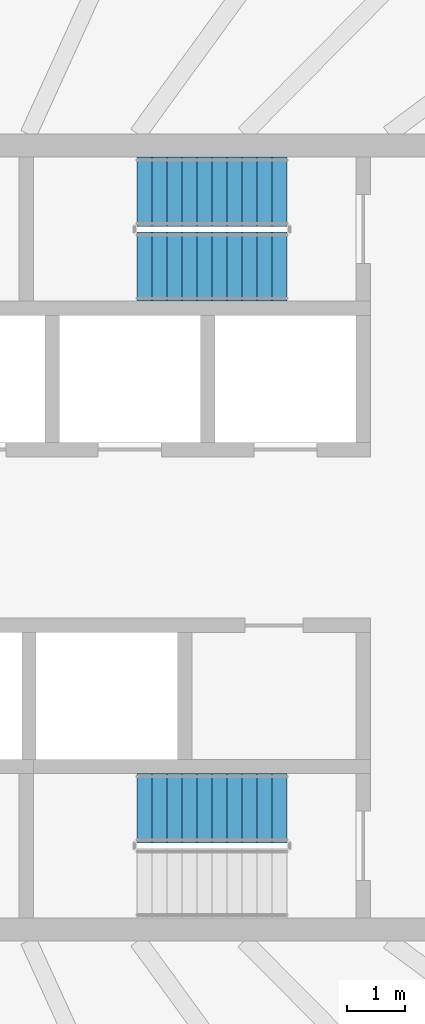
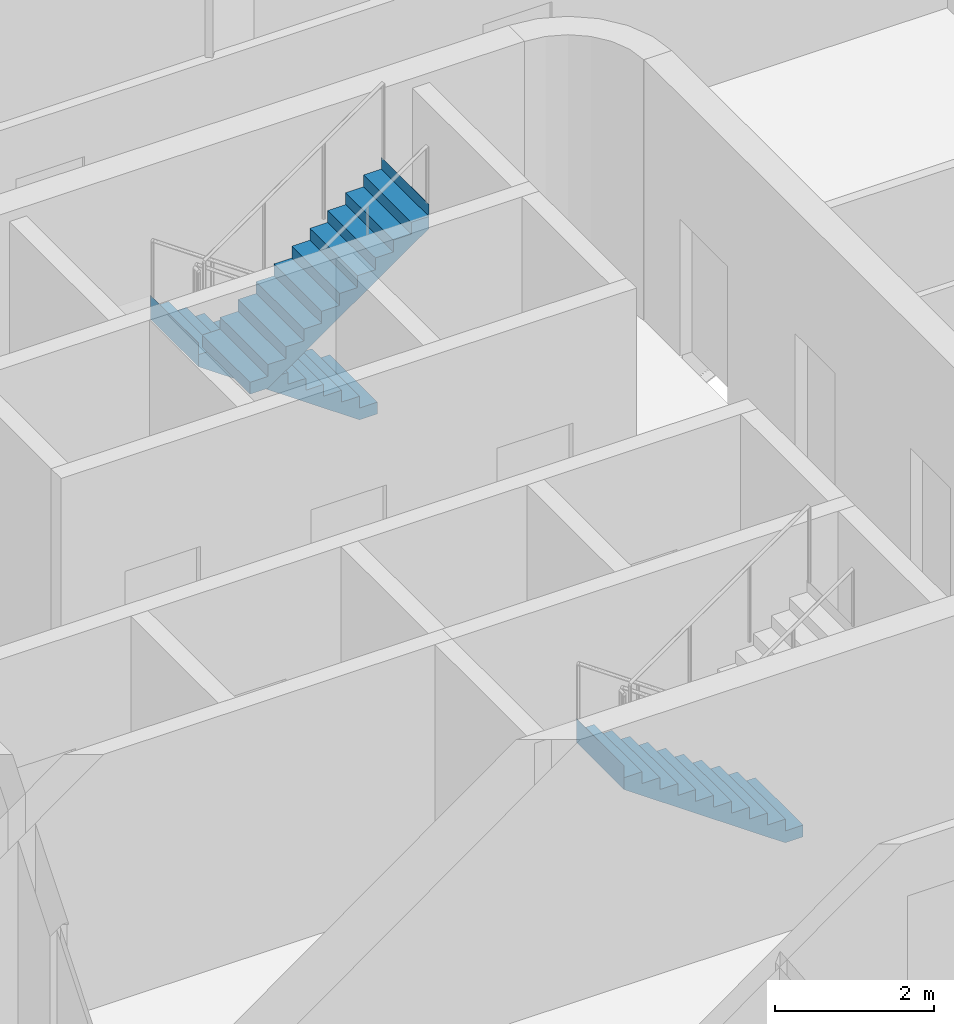
# One storey, part 14 of 19: 3 stair flights, 2 elements without a shape of their own.
"""IFC4 building model written with IfcOpenShell, lengths in metres."""

from ifc_helpers import new_model, si_unit, direction, frame, origin, place, context, subcontext, project, spatial, triangles, material, type_object, element, aggregate, save


model = new_model("IFC4")

# Units and contexts
model_context = context("Model", 3, precision=1e-05, world=origin(), true_north=direction((0.0, 1.0)))
body_context = subcontext(model_context, "Body", "Model", "MODEL_VIEW")
ifc_project = project(units=[si_unit("LENGTHUNIT", "METRE"), si_unit("AREAUNIT", "SQUARE_METRE"), si_unit("VOLUMEUNIT", "CUBIC_METRE"), si_unit("PLANEANGLEUNIT", "RADIAN"), si_unit("MASSUNIT", "GRAM", prefix="KILO")], contexts=[model_context])

# Site, building, storey
site_placement = place(None, origin())
site = spatial("IfcSite", under=ifc_project, at=site_placement, CompositionType="ELEMENT")
building_placement = place(site_placement, origin())
building = spatial("IfcBuilding", under=site, at=building_placement, Name="Sahrelin Media Tower", CompositionType="ELEMENT")
storey_placement = place(building_placement, frame((0.0, 0.0, 229.60009765625)))
storey = spatial("IfcBuildingStorey", under=building, at=storey_placement, Name="L49", CompositionType="ELEMENT", Elevation=229.60009765625)

# Stair, stair flights
ifc_material = material(Name="Concrete C40/50", Category="concrete")
stair_type = type_object("IfcStairType", Name="Exit stair 1200", PredefinedType="HALF_TURN_STAIR", material=ifc_material)
placement = place(storey_placement, origin())
stair_1 = element("IfcStair", 1, at=placement, inside=storey, type_object=stair_type, Name="L49 Exit stair ST3", PredefinedType="HALF_TURN_STAIR")
stair_flight_type = type_object("IfcStairFlightType", Name="Stair flight 1200", PredefinedType="STRAIGHT", material=ifc_material)
stair_flight_1_placement = place(storey_placement, frame((7.675048828125, 6.0, 0.0), z_axis=(0.0, 0.0, 1.0), x_axis=(-1.0, 0.0, 0.0)))
stair_flight_1 = element("IfcStairFlight", 2, at=stair_flight_1_placement, type_object=stair_flight_type, Name="ST3 flight 1", NumberOfRisers=11, NumberOfTreads=10, PredefinedType="STRAIGHT", RiserHeight=0.181818182, TreadLength=0.26, context=body_context, shape_type="Tessellation", body=[
    triangles([(0.261474609375, 0.60009765625, 0.0), (0.261474609375, 0.300048828125, 0.0), (0.261474609375, 0.0, 0.0), (0.261474609375, -0.300048828125, 0.0), (0.261474609375, -0.60009765625, 0.0), (2.60009765625, 0.60009765625, 1.63525390625), (2.60009765625, 0.300048828125, 1.63525390625), (2.60009765625, 0.0, 1.63525390625), (2.60009765625, -0.300048828125, 1.63525390625), (2.60009765625, -0.60009765625, 1.63525390625), (2.60009765625, 0.60009765625, 2.0), (2.60009765625, 0.300048828125, 2.0), (2.60009765625, 0.0, 2.0), (2.60009765625, -0.300048828125, 2.0), (2.60009765625, -0.60009765625, 2.0), (2.597900390625, 0.60009765625, 2.0), (2.597900390625, 0.300048828125, 2.0), (2.597900390625, 0.0, 2.0), (2.597900390625, -0.300048828125, 2.0), (2.597900390625, -0.60009765625, 2.0), (2.597900390625, 0.60009765625, 1.818115234375), (2.597900390625, 0.300048828125, 1.818115234375), (2.597900390625, 0.0, 1.818115234375), (2.597900390625, -0.300048828125, 1.818115234375), (2.597900390625, -0.60009765625, 1.818115234375), (2.340087890625, 0.60009765625, 1.818115234375), (2.340087890625, 0.300048828125, 1.818115234375), (2.340087890625, 0.0, 1.818115234375), (2.340087890625, -0.300048828125, 1.818115234375), (2.340087890625, -0.60009765625, 1.818115234375), (2.340087890625, 0.60009765625, 1.636474609375), (2.340087890625, 0.300048828125, 1.636474609375), (2.340087890625, 0.0, 1.636474609375), (2.340087890625, -0.300048828125, 1.636474609375), (2.340087890625, -0.60009765625, 1.636474609375), (2.080078125, 0.60009765625, 1.636474609375), (2.080078125, 0.300048828125, 1.636474609375), (2.080078125, 0.0, 1.636474609375), (2.080078125, -0.300048828125, 1.636474609375), (2.080078125, -0.60009765625, 1.636474609375), (2.080078125, 0.60009765625, 1.45458984375), (2.080078125, 0.300048828125, 1.45458984375), (2.080078125, 0.0, 1.45458984375), (2.080078125, -0.300048828125, 1.45458984375), (2.080078125, -0.60009765625, 1.45458984375), (1.820068359375, 0.60009765625, 1.45458984375), (1.820068359375, 0.300048828125, 1.45458984375), (1.820068359375, 0.0, 1.45458984375), (1.820068359375, -0.300048828125, 1.45458984375), (1.820068359375, -0.60009765625, 1.45458984375), (1.820068359375, 0.60009765625, 1.272705078125), (1.820068359375, 0.300048828125, 1.272705078125), (1.820068359375, 0.0, 1.272705078125), (1.820068359375, -0.300048828125, 1.272705078125), (1.820068359375, -0.60009765625, 1.272705078125), (1.56005859375, 0.60009765625, 1.272705078125), (1.56005859375, 0.300048828125, 1.272705078125), (1.56005859375, 0.0, 1.272705078125), (1.56005859375, -0.300048828125, 1.272705078125), (1.56005859375, -0.60009765625, 1.272705078125), (1.56005859375, 0.60009765625, 1.0908203125), (1.56005859375, 0.300048828125, 1.0908203125), (1.56005859375, 0.0, 1.0908203125), (1.56005859375, -0.300048828125, 1.0908203125), (1.56005859375, -0.60009765625, 1.0908203125), (1.300048828125, 0.60009765625, 1.0908203125), (1.300048828125, 0.300048828125, 1.0908203125), (1.300048828125, 0.0, 1.0908203125), (1.300048828125, -0.300048828125, 1.0908203125), (1.300048828125, -0.60009765625, 1.0908203125), (1.300048828125, 0.60009765625, 0.9091796875), (1.300048828125, 0.300048828125, 0.9091796875), (1.300048828125, 0.0, 0.9091796875), (1.300048828125, -0.300048828125, 0.9091796875), (1.300048828125, -0.60009765625, 0.9091796875), (1.0400390625, 0.60009765625, 0.9091796875), (1.0400390625, 0.300048828125, 0.9091796875), (1.0400390625, 0.0, 0.9091796875), (1.0400390625, -0.300048828125, 0.9091796875), (1.0400390625, -0.60009765625, 0.9091796875), (1.0400390625, 0.60009765625, 0.727294921875), (1.0400390625, 0.300048828125, 0.727294921875), (1.0400390625, 0.0, 0.727294921875), (1.0400390625, -0.300048828125, 0.727294921875), (1.0400390625, -0.60009765625, 0.727294921875), (0.780029296875, 0.60009765625, 0.727294921875), (0.780029296875, 0.300048828125, 0.727294921875), (0.780029296875, 0.0, 0.727294921875), (0.780029296875, -0.300048828125, 0.727294921875), (0.780029296875, -0.60009765625, 0.727294921875), (0.780029296875, 0.60009765625, 0.54541015625), (0.780029296875, 0.300048828125, 0.54541015625), (0.780029296875, 0.0, 0.54541015625), (0.780029296875, -0.300048828125, 0.54541015625), (0.780029296875, -0.60009765625, 0.54541015625), (0.52001953125, 0.60009765625, 0.54541015625), (0.52001953125, 0.300048828125, 0.54541015625), (0.52001953125, 0.0, 0.54541015625), (0.52001953125, -0.300048828125, 0.54541015625), (0.52001953125, -0.60009765625, 0.54541015625), (0.52001953125, 0.60009765625, 0.363525390625), (0.52001953125, 0.300048828125, 0.363525390625), (0.52001953125, 0.0, 0.363525390625), (0.52001953125, -0.300048828125, 0.363525390625), (0.52001953125, -0.60009765625, 0.363525390625), (0.260009765625, 0.60009765625, 0.363525390625), (0.260009765625, 0.300048828125, 0.363525390625), (0.260009765625, 0.0, 0.363525390625), (0.260009765625, -0.300048828125, 0.363525390625), (0.260009765625, -0.60009765625, 0.363525390625), (0.260009765625, 0.60009765625, 0.181884765625), (0.260009765625, 0.300048828125, 0.181884765625), (0.260009765625, 0.0, 0.181884765625), (0.260009765625, -0.300048828125, 0.181884765625), (0.260009765625, -0.60009765625, 0.181884765625), (0.0, 0.60009765625, 0.181884765625), (0.0, 0.300048828125, 0.181884765625), (0.0, 0.0, 0.181884765625), (0.0, -0.300048828125, 0.181884765625), (0.0, -0.60009765625, 0.181884765625), (0.0, 0.60009765625, 0.0), (0.0, 0.300048828125, 0.0), (0.0, 0.0, 0.0), (0.0, -0.300048828125, 0.0), (0.0, -0.60009765625, 0.0)], [[1, 6, 7], [1, 7, 2], [2, 7, 8], [2, 8, 3], [3, 8, 9], [3, 9, 4], [4, 9, 10], [4, 10, 5], [6, 11, 12], [6, 12, 7], [7, 12, 13], [7, 13, 8], [8, 13, 14], [8, 14, 9], [9, 14, 15], [9, 15, 10], [11, 16, 17], [11, 17, 12], [12, 17, 18], [12, 18, 13], [13, 18, 19], [13, 19, 14], [14, 19, 20], [14, 20, 15], [16, 21, 22], [16, 22, 17], [17, 22, 23], [17, 23, 18], [18, 23, 24], [18, 24, 19], [19, 24, 25], [19, 25, 20], [21, 26, 27], [21, 27, 22], [22, 27, 28], [22, 28, 23], [23, 28, 29], [23, 29, 24], [24, 29, 30], [24, 30, 25], [26, 31, 32], [26, 32, 27], [27, 32, 33], [27, 33, 28], [28, 33, 34], [28, 34, 29], [29, 34, 35], [29, 35, 30], [31, 36, 37], [31, 37, 32], [32, 37, 38], [32, 38, 33], [33, 38, 39], [33, 39, 34], [34, 39, 40], [34, 40, 35], [36, 41, 42], [36, 42, 37], [37, 42, 43], [37, 43, 38], [38, 43, 44], [38, 44, 39], [39, 44, 45], [39, 45, 40], [41, 46, 47], [41, 47, 42], [42, 47, 48], [42, 48, 43], [43, 48, 49], [43, 49, 44], [44, 49, 50], [44, 50, 45], [46, 51, 52], [46, 52, 47], [47, 52, 53], [47, 53, 48], [48, 53, 54], [48, 54, 49], [49, 54, 55], [49, 55, 50], [51, 56, 57], [51, 57, 52], [52, 57, 58], [52, 58, 53], [53, 58, 59], [53, 59, 54], [54, 59, 60], [54, 60, 55], [56, 61, 62], [56, 62, 57], [57, 62, 63], [57, 63, 58], [58, 63, 64], [58, 64, 59], [59, 64, 65], [59, 65, 60], [61, 66, 67], [61, 67, 62], [62, 67, 68], [62, 68, 63], [63, 68, 69], [63, 69, 64], [64, 69, 70], [64, 70, 65], [66, 71, 72], [66, 72, 67], [67, 72, 73], [67, 73, 68], [68, 73, 74], [68, 74, 69], [69, 74, 75], [69, 75, 70], [71, 76, 77], [71, 77, 72], [72, 77, 78], [72, 78, 73], [73, 78, 79], [73, 79, 74], [74, 79, 80], [74, 80, 75], [76, 81, 82], [76, 82, 77], [77, 82, 83], [77, 83, 78], [78, 83, 84], [78, 84, 79], [79, 84, 85], [79, 85, 80], [81, 86, 87], [81, 87, 82], [82, 87, 88], [82, 88, 83], [83, 88, 89], [83, 89, 84], [84, 89, 90], [84, 90, 85], [86, 91, 92], [86, 92, 87], [87, 92, 93], [87, 93, 88], [88, 93, 94], [88, 94, 89], [89, 94, 95], [89, 95, 90], [91, 96, 97], [91, 97, 92], [92, 97, 98], [92, 98, 93], [93, 98, 99], [93, 99, 94], [94, 99, 100], [94, 100, 95], [96, 101, 102], [96, 102, 97], [97, 102, 103], [97, 103, 98], [98, 103, 104], [98, 104, 99], [99, 104, 105], [99, 105, 100], [101, 106, 107], [101, 107, 102], [102, 107, 108], [102, 108, 103], [103, 108, 109], [103, 109, 104], [104, 109, 110], [104, 110, 105], [106, 111, 112], [106, 112, 107], [107, 112, 113], [107, 113, 108], [108, 113, 114], [108, 114, 109], [109, 114, 115], [109, 115, 110], [111, 116, 117], [111, 117, 112], [112, 117, 118], [112, 118, 113], [113, 118, 119], [113, 119, 114], [114, 119, 120], [114, 120, 115], [116, 121, 122], [116, 122, 117], [117, 122, 123], [117, 123, 118], [118, 123, 124], [118, 124, 119], [119, 124, 125], [119, 125, 120], [121, 1, 2], [121, 2, 122], [122, 2, 3], [122, 3, 123], [123, 3, 4], [123, 4, 124], [124, 4, 5], [124, 5, 125], [115, 120, 125], [111, 121, 116], [115, 105, 110], [111, 106, 101], [105, 95, 100], [101, 96, 91], [95, 85, 90], [91, 86, 81], [85, 75, 80], [81, 76, 71], [75, 65, 70], [71, 66, 61], [65, 55, 60], [61, 56, 51], [55, 45, 50], [51, 46, 41], [45, 35, 40], [41, 36, 31], [35, 25, 30], [31, 26, 21], [25, 15, 20], [21, 16, 11], [125, 5, 115], [121, 111, 1], [25, 10, 15], [21, 11, 6], [105, 115, 5], [101, 1, 111], [35, 10, 25], [31, 21, 6], [95, 105, 5], [91, 1, 101], [45, 10, 35], [41, 31, 6], [85, 95, 5], [81, 1, 91], [55, 10, 45], [51, 41, 6], [75, 85, 5], [71, 1, 81], [65, 10, 55], [61, 51, 6], [5, 10, 75], [1, 71, 6], [75, 10, 65], [71, 61, 6]], closed=True),
])
stair_flight_2_placement = place(storey_placement, frame((5.074951171875, 4.699951171875, 2.0), z_axis=(0.0, 0.0, 1.0), x_axis=(1.0, 0.0, 0.0)))
stair_flight_2 = element("IfcStairFlight", 3, at=stair_flight_2_placement, type_object=stair_flight_type, Name="ST3 flight 2", NumberOfRisers=11, NumberOfTreads=10, PredefinedType="STRAIGHT", RiserHeight=0.181818182, TreadLength=0.26, context=body_context, shape_type="Tessellation", body=[
    triangles([(0.261474609375, 0.60009765625, 0.0), (0.261474609375, 0.300048828125, 0.0), (0.261474609375, 0.0, 0.0), (0.261474609375, -0.300048828125, 0.0), (0.261474609375, -0.60009765625, 0.0), (2.60009765625, 0.60009765625, 1.63525390625), (2.60009765625, 0.300048828125, 1.63525390625), (2.60009765625, 0.0, 1.63525390625), (2.60009765625, -0.300048828125, 1.63525390625), (2.60009765625, -0.60009765625, 1.63525390625), (2.60009765625, 0.60009765625, 2.0), (2.60009765625, 0.300048828125, 2.0), (2.60009765625, 0.0, 2.0), (2.60009765625, -0.300048828125, 2.0), (2.60009765625, -0.60009765625, 2.0), (2.597900390625, 0.60009765625, 2.0), (2.597900390625, 0.300048828125, 2.0), (2.597900390625, 0.0, 2.0), (2.597900390625, -0.300048828125, 2.0), (2.597900390625, -0.60009765625, 2.0), (2.597900390625, 0.60009765625, 1.818115234375), (2.597900390625, 0.300048828125, 1.818115234375), (2.597900390625, 0.0, 1.818115234375), (2.597900390625, -0.300048828125, 1.818115234375), (2.597900390625, -0.60009765625, 1.818115234375), (2.340087890625, 0.60009765625, 1.818115234375), (2.340087890625, 0.300048828125, 1.818115234375), (2.340087890625, 0.0, 1.818115234375), (2.340087890625, -0.300048828125, 1.818115234375), (2.340087890625, -0.60009765625, 1.818115234375), (2.340087890625, 0.60009765625, 1.636474609375), (2.340087890625, 0.300048828125, 1.636474609375), (2.340087890625, 0.0, 1.636474609375), (2.340087890625, -0.300048828125, 1.636474609375), (2.340087890625, -0.60009765625, 1.636474609375), (2.080078125, 0.60009765625, 1.636474609375), (2.080078125, 0.300048828125, 1.636474609375), (2.080078125, 0.0, 1.636474609375), (2.080078125, -0.300048828125, 1.636474609375), (2.080078125, -0.60009765625, 1.636474609375), (2.080078125, 0.60009765625, 1.45458984375), (2.080078125, 0.300048828125, 1.45458984375), (2.080078125, 0.0, 1.45458984375), (2.080078125, -0.300048828125, 1.45458984375), (2.080078125, -0.60009765625, 1.45458984375), (1.820068359375, 0.60009765625, 1.45458984375), (1.820068359375, 0.300048828125, 1.45458984375), (1.820068359375, 0.0, 1.45458984375), (1.820068359375, -0.300048828125, 1.45458984375), (1.820068359375, -0.60009765625, 1.45458984375), (1.820068359375, 0.60009765625, 1.272705078125), (1.820068359375, 0.300048828125, 1.272705078125), (1.820068359375, 0.0, 1.272705078125), (1.820068359375, -0.300048828125, 1.272705078125), (1.820068359375, -0.60009765625, 1.272705078125), (1.56005859375, 0.60009765625, 1.272705078125), (1.56005859375, 0.300048828125, 1.272705078125), (1.56005859375, 0.0, 1.272705078125), (1.56005859375, -0.300048828125, 1.272705078125), (1.56005859375, -0.60009765625, 1.272705078125), (1.56005859375, 0.60009765625, 1.0908203125), (1.56005859375, 0.300048828125, 1.0908203125), (1.56005859375, 0.0, 1.0908203125), (1.56005859375, -0.300048828125, 1.0908203125), (1.56005859375, -0.60009765625, 1.0908203125), (1.300048828125, 0.60009765625, 1.0908203125), (1.300048828125, 0.300048828125, 1.0908203125), (1.300048828125, 0.0, 1.0908203125), (1.300048828125, -0.300048828125, 1.0908203125), (1.300048828125, -0.60009765625, 1.0908203125), (1.300048828125, 0.60009765625, 0.9091796875), (1.300048828125, 0.300048828125, 0.9091796875), (1.300048828125, 0.0, 0.9091796875), (1.300048828125, -0.300048828125, 0.9091796875), (1.300048828125, -0.60009765625, 0.9091796875), (1.0400390625, 0.60009765625, 0.9091796875), (1.0400390625, 0.300048828125, 0.9091796875), (1.0400390625, 0.0, 0.9091796875), (1.0400390625, -0.300048828125, 0.9091796875), (1.0400390625, -0.60009765625, 0.9091796875), (1.0400390625, 0.60009765625, 0.727294921875), (1.0400390625, 0.300048828125, 0.727294921875), (1.0400390625, 0.0, 0.727294921875), (1.0400390625, -0.300048828125, 0.727294921875), (1.0400390625, -0.60009765625, 0.727294921875), (0.780029296875, 0.60009765625, 0.727294921875), (0.780029296875, 0.300048828125, 0.727294921875), (0.780029296875, 0.0, 0.727294921875), (0.780029296875, -0.300048828125, 0.727294921875), (0.780029296875, -0.60009765625, 0.727294921875), (0.780029296875, 0.60009765625, 0.54541015625), (0.780029296875, 0.300048828125, 0.54541015625), (0.780029296875, 0.0, 0.54541015625), (0.780029296875, -0.300048828125, 0.54541015625), (0.780029296875, -0.60009765625, 0.54541015625), (0.52001953125, 0.60009765625, 0.54541015625), (0.52001953125, 0.300048828125, 0.54541015625), (0.52001953125, 0.0, 0.54541015625), (0.52001953125, -0.300048828125, 0.54541015625), (0.52001953125, -0.60009765625, 0.54541015625), (0.52001953125, 0.60009765625, 0.363525390625), (0.52001953125, 0.300048828125, 0.363525390625), (0.52001953125, 0.0, 0.363525390625), (0.52001953125, -0.300048828125, 0.363525390625), (0.52001953125, -0.60009765625, 0.363525390625), (0.260009765625, 0.60009765625, 0.363525390625), (0.260009765625, 0.300048828125, 0.363525390625), (0.260009765625, 0.0, 0.363525390625), (0.260009765625, -0.300048828125, 0.363525390625), (0.260009765625, -0.60009765625, 0.363525390625), (0.260009765625, 0.60009765625, 0.181884765625), (0.260009765625, 0.300048828125, 0.181884765625), (0.260009765625, 0.0, 0.181884765625), (0.260009765625, -0.300048828125, 0.181884765625), (0.260009765625, -0.60009765625, 0.181884765625), (0.0, 0.60009765625, 0.181884765625), (0.0, 0.300048828125, 0.181884765625), (0.0, 0.0, 0.181884765625), (0.0, -0.300048828125, 0.181884765625), (0.0, -0.60009765625, 0.181884765625), (0.0, 0.60009765625, 0.0), (0.0, 0.300048828125, 0.0), (0.0, 0.0, 0.0), (0.0, -0.300048828125, 0.0), (0.0, -0.60009765625, 0.0)], [[1, 6, 7], [1, 7, 2], [2, 7, 8], [2, 8, 3], [3, 8, 9], [3, 9, 4], [4, 9, 10], [4, 10, 5], [6, 11, 12], [6, 12, 7], [7, 12, 13], [7, 13, 8], [8, 13, 14], [8, 14, 9], [9, 14, 15], [9, 15, 10], [11, 16, 17], [11, 17, 12], [12, 17, 18], [12, 18, 13], [13, 18, 19], [13, 19, 14], [14, 19, 20], [14, 20, 15], [16, 21, 22], [16, 22, 17], [17, 22, 23], [17, 23, 18], [18, 23, 24], [18, 24, 19], [19, 24, 25], [19, 25, 20], [21, 26, 27], [21, 27, 22], [22, 27, 28], [22, 28, 23], [23, 28, 29], [23, 29, 24], [24, 29, 30], [24, 30, 25], [26, 31, 32], [26, 32, 27], [27, 32, 33], [27, 33, 28], [28, 33, 34], [28, 34, 29], [29, 34, 35], [29, 35, 30], [31, 36, 37], [31, 37, 32], [32, 37, 38], [32, 38, 33], [33, 38, 39], [33, 39, 34], [34, 39, 40], [34, 40, 35], [36, 41, 42], [36, 42, 37], [37, 42, 43], [37, 43, 38], [38, 43, 44], [38, 44, 39], [39, 44, 45], [39, 45, 40], [41, 46, 47], [41, 47, 42], [42, 47, 48], [42, 48, 43], [43, 48, 49], [43, 49, 44], [44, 49, 50], [44, 50, 45], [46, 51, 52], [46, 52, 47], [47, 52, 53], [47, 53, 48], [48, 53, 54], [48, 54, 49], [49, 54, 55], [49, 55, 50], [51, 56, 57], [51, 57, 52], [52, 57, 58], [52, 58, 53], [53, 58, 59], [53, 59, 54], [54, 59, 60], [54, 60, 55], [56, 61, 62], [56, 62, 57], [57, 62, 63], [57, 63, 58], [58, 63, 64], [58, 64, 59], [59, 64, 65], [59, 65, 60], [61, 66, 67], [61, 67, 62], [62, 67, 68], [62, 68, 63], [63, 68, 69], [63, 69, 64], [64, 69, 70], [64, 70, 65], [66, 71, 72], [66, 72, 67], [67, 72, 73], [67, 73, 68], [68, 73, 74], [68, 74, 69], [69, 74, 75], [69, 75, 70], [71, 76, 77], [71, 77, 72], [72, 77, 78], [72, 78, 73], [73, 78, 79], [73, 79, 74], [74, 79, 80], [74, 80, 75], [76, 81, 82], [76, 82, 77], [77, 82, 83], [77, 83, 78], [78, 83, 84], [78, 84, 79], [79, 84, 85], [79, 85, 80], [81, 86, 87], [81, 87, 82], [82, 87, 88], [82, 88, 83], [83, 88, 89], [83, 89, 84], [84, 89, 90], [84, 90, 85], [86, 91, 92], [86, 92, 87], [87, 92, 93], [87, 93, 88], [88, 93, 94], [88, 94, 89], [89, 94, 95], [89, 95, 90], [91, 96, 97], [91, 97, 92], [92, 97, 98], [92, 98, 93], [93, 98, 99], [93, 99, 94], [94, 99, 100], [94, 100, 95], [96, 101, 102], [96, 102, 97], [97, 102, 103], [97, 103, 98], [98, 103, 104], [98, 104, 99], [99, 104, 105], [99, 105, 100], [101, 106, 107], [101, 107, 102], [102, 107, 108], [102, 108, 103], [103, 108, 109], [103, 109, 104], [104, 109, 110], [104, 110, 105], [106, 111, 112], [106, 112, 107], [107, 112, 113], [107, 113, 108], [108, 113, 114], [108, 114, 109], [109, 114, 115], [109, 115, 110], [111, 116, 117], [111, 117, 112], [112, 117, 118], [112, 118, 113], [113, 118, 119], [113, 119, 114], [114, 119, 120], [114, 120, 115], [116, 121, 122], [116, 122, 117], [117, 122, 123], [117, 123, 118], [118, 123, 124], [118, 124, 119], [119, 124, 125], [119, 125, 120], [121, 1, 2], [121, 2, 122], [122, 2, 3], [122, 3, 123], [123, 3, 4], [123, 4, 124], [124, 4, 5], [124, 5, 125], [115, 120, 125], [111, 121, 116], [115, 105, 110], [111, 106, 101], [105, 95, 100], [101, 96, 91], [95, 85, 90], [91, 86, 81], [85, 75, 80], [81, 76, 71], [75, 65, 70], [71, 66, 61], [65, 55, 60], [61, 56, 51], [55, 45, 50], [51, 46, 41], [45, 35, 40], [41, 36, 31], [35, 25, 30], [31, 26, 21], [25, 15, 20], [21, 16, 11], [125, 5, 115], [121, 111, 1], [25, 10, 15], [21, 11, 6], [105, 115, 5], [101, 1, 111], [35, 10, 25], [31, 21, 6], [95, 105, 5], [91, 1, 101], [45, 10, 35], [41, 31, 6], [85, 95, 5], [81, 1, 91], [55, 10, 45], [51, 41, 6], [75, 85, 5], [71, 1, 81], [65, 10, 55], [61, 51, 6], [5, 10, 75], [1, 71, 6], [75, 10, 65], [71, 61, 6]], closed=True),
])
aggregate(stair_1, [stair_flight_1, stair_flight_2])

# Stair, stair flight
stair_2 = element("IfcStair", 4, at=placement, inside=storey, type_object=stair_type, Name="L49 Exit stair ST2", PredefinedType="HALF_TURN_STAIR")
stair_flight_3_placement = place(storey_placement, frame((7.675048828125, -4.699951171875, 0.0), z_axis=(0.0, 0.0, 1.0), x_axis=(-1.0, 0.0, 0.0)))
stair_flight_3 = element("IfcStairFlight", 5, at=stair_flight_3_placement, type_object=stair_flight_type, Name="ST2 flight 1", NumberOfRisers=11, NumberOfTreads=10, PredefinedType="STRAIGHT", RiserHeight=0.181818182, TreadLength=0.26, context=body_context, shape_type="Tessellation", body=[
    triangles([(0.261474609375, 0.60009765625, 0.0), (0.261474609375, 0.300048828125, 0.0), (0.261474609375, 0.0, 0.0), (0.261474609375, -0.300048828125, 0.0), (0.261474609375, -0.60009765625, 0.0), (2.60009765625, 0.60009765625, 1.63525390625), (2.60009765625, 0.300048828125, 1.63525390625), (2.60009765625, 0.0, 1.63525390625), (2.60009765625, -0.300048828125, 1.63525390625), (2.60009765625, -0.60009765625, 1.63525390625), (2.60009765625, 0.60009765625, 2.0), (2.60009765625, 0.300048828125, 2.0), (2.60009765625, 0.0, 2.0), (2.60009765625, -0.300048828125, 2.0), (2.60009765625, -0.60009765625, 2.0), (2.597900390625, 0.60009765625, 2.0), (2.597900390625, 0.300048828125, 2.0), (2.597900390625, 0.0, 2.0), (2.597900390625, -0.300048828125, 2.0), (2.597900390625, -0.60009765625, 2.0), (2.597900390625, 0.60009765625, 1.818115234375), (2.597900390625, 0.300048828125, 1.818115234375), (2.597900390625, 0.0, 1.818115234375), (2.597900390625, -0.300048828125, 1.818115234375), (2.597900390625, -0.60009765625, 1.818115234375), (2.340087890625, 0.60009765625, 1.818115234375), (2.340087890625, 0.300048828125, 1.818115234375), (2.340087890625, 0.0, 1.818115234375), (2.340087890625, -0.300048828125, 1.818115234375), (2.340087890625, -0.60009765625, 1.818115234375), (2.340087890625, 0.60009765625, 1.636474609375), (2.340087890625, 0.300048828125, 1.636474609375), (2.340087890625, 0.0, 1.636474609375), (2.340087890625, -0.300048828125, 1.636474609375), (2.340087890625, -0.60009765625, 1.636474609375), (2.080078125, 0.60009765625, 1.636474609375), (2.080078125, 0.300048828125, 1.636474609375), (2.080078125, 0.0, 1.636474609375), (2.080078125, -0.300048828125, 1.636474609375), (2.080078125, -0.60009765625, 1.636474609375), (2.080078125, 0.60009765625, 1.45458984375), (2.080078125, 0.300048828125, 1.45458984375), (2.080078125, 0.0, 1.45458984375), (2.080078125, -0.300048828125, 1.45458984375), (2.080078125, -0.60009765625, 1.45458984375), (1.820068359375, 0.60009765625, 1.45458984375), (1.820068359375, 0.300048828125, 1.45458984375), (1.820068359375, 0.0, 1.45458984375), (1.820068359375, -0.300048828125, 1.45458984375), (1.820068359375, -0.60009765625, 1.45458984375), (1.820068359375, 0.60009765625, 1.272705078125), (1.820068359375, 0.300048828125, 1.272705078125), (1.820068359375, 0.0, 1.272705078125), (1.820068359375, -0.300048828125, 1.272705078125), (1.820068359375, -0.60009765625, 1.272705078125), (1.56005859375, 0.60009765625, 1.272705078125), (1.56005859375, 0.300048828125, 1.272705078125), (1.56005859375, 0.0, 1.272705078125), (1.56005859375, -0.300048828125, 1.272705078125), (1.56005859375, -0.60009765625, 1.272705078125), (1.56005859375, 0.60009765625, 1.0908203125), (1.56005859375, 0.300048828125, 1.0908203125), (1.56005859375, 0.0, 1.0908203125), (1.56005859375, -0.300048828125, 1.0908203125), (1.56005859375, -0.60009765625, 1.0908203125), (1.300048828125, 0.60009765625, 1.0908203125), (1.300048828125, 0.300048828125, 1.0908203125), (1.300048828125, 0.0, 1.0908203125), (1.300048828125, -0.300048828125, 1.0908203125), (1.300048828125, -0.60009765625, 1.0908203125), (1.300048828125, 0.60009765625, 0.9091796875), (1.300048828125, 0.300048828125, 0.9091796875), (1.300048828125, 0.0, 0.9091796875), (1.300048828125, -0.300048828125, 0.9091796875), (1.300048828125, -0.60009765625, 0.9091796875), (1.0400390625, 0.60009765625, 0.9091796875), (1.0400390625, 0.300048828125, 0.9091796875), (1.0400390625, 0.0, 0.9091796875), (1.0400390625, -0.300048828125, 0.9091796875), (1.0400390625, -0.60009765625, 0.9091796875), (1.0400390625, 0.60009765625, 0.727294921875), (1.0400390625, 0.300048828125, 0.727294921875), (1.0400390625, 0.0, 0.727294921875), (1.0400390625, -0.300048828125, 0.727294921875), (1.0400390625, -0.60009765625, 0.727294921875), (0.780029296875, 0.60009765625, 0.727294921875), (0.780029296875, 0.300048828125, 0.727294921875), (0.780029296875, 0.0, 0.727294921875), (0.780029296875, -0.300048828125, 0.727294921875), (0.780029296875, -0.60009765625, 0.727294921875), (0.780029296875, 0.60009765625, 0.54541015625), (0.780029296875, 0.300048828125, 0.54541015625), (0.780029296875, 0.0, 0.54541015625), (0.780029296875, -0.300048828125, 0.54541015625), (0.780029296875, -0.60009765625, 0.54541015625), (0.52001953125, 0.60009765625, 0.54541015625), (0.52001953125, 0.300048828125, 0.54541015625), (0.52001953125, 0.0, 0.54541015625), (0.52001953125, -0.300048828125, 0.54541015625), (0.52001953125, -0.60009765625, 0.54541015625), (0.52001953125, 0.60009765625, 0.363525390625), (0.52001953125, 0.300048828125, 0.363525390625), (0.52001953125, 0.0, 0.363525390625), (0.52001953125, -0.300048828125, 0.363525390625), (0.52001953125, -0.60009765625, 0.363525390625), (0.260009765625, 0.60009765625, 0.363525390625), (0.260009765625, 0.300048828125, 0.363525390625), (0.260009765625, 0.0, 0.363525390625), (0.260009765625, -0.300048828125, 0.363525390625), (0.260009765625, -0.60009765625, 0.363525390625), (0.260009765625, 0.60009765625, 0.181884765625), (0.260009765625, 0.300048828125, 0.181884765625), (0.260009765625, 0.0, 0.181884765625), (0.260009765625, -0.300048828125, 0.181884765625), (0.260009765625, -0.60009765625, 0.181884765625), (0.0, 0.60009765625, 0.181884765625), (0.0, 0.300048828125, 0.181884765625), (0.0, 0.0, 0.181884765625), (0.0, -0.300048828125, 0.181884765625), (0.0, -0.60009765625, 0.181884765625), (0.0, 0.60009765625, 0.0), (0.0, 0.300048828125, 0.0), (0.0, 0.0, 0.0), (0.0, -0.300048828125, 0.0), (0.0, -0.60009765625, 0.0)], [[1, 6, 7], [1, 7, 2], [2, 7, 8], [2, 8, 3], [3, 8, 9], [3, 9, 4], [4, 9, 10], [4, 10, 5], [6, 11, 12], [6, 12, 7], [7, 12, 13], [7, 13, 8], [8, 13, 14], [8, 14, 9], [9, 14, 15], [9, 15, 10], [11, 16, 17], [11, 17, 12], [12, 17, 18], [12, 18, 13], [13, 18, 19], [13, 19, 14], [14, 19, 20], [14, 20, 15], [16, 21, 22], [16, 22, 17], [17, 22, 23], [17, 23, 18], [18, 23, 24], [18, 24, 19], [19, 24, 25], [19, 25, 20], [21, 26, 27], [21, 27, 22], [22, 27, 28], [22, 28, 23], [23, 28, 29], [23, 29, 24], [24, 29, 30], [24, 30, 25], [26, 31, 32], [26, 32, 27], [27, 32, 33], [27, 33, 28], [28, 33, 34], [28, 34, 29], [29, 34, 35], [29, 35, 30], [31, 36, 37], [31, 37, 32], [32, 37, 38], [32, 38, 33], [33, 38, 39], [33, 39, 34], [34, 39, 40], [34, 40, 35], [36, 41, 42], [36, 42, 37], [37, 42, 43], [37, 43, 38], [38, 43, 44], [38, 44, 39], [39, 44, 45], [39, 45, 40], [41, 46, 47], [41, 47, 42], [42, 47, 48], [42, 48, 43], [43, 48, 49], [43, 49, 44], [44, 49, 50], [44, 50, 45], [46, 51, 52], [46, 52, 47], [47, 52, 53], [47, 53, 48], [48, 53, 54], [48, 54, 49], [49, 54, 55], [49, 55, 50], [51, 56, 57], [51, 57, 52], [52, 57, 58], [52, 58, 53], [53, 58, 59], [53, 59, 54], [54, 59, 60], [54, 60, 55], [56, 61, 62], [56, 62, 57], [57, 62, 63], [57, 63, 58], [58, 63, 64], [58, 64, 59], [59, 64, 65], [59, 65, 60], [61, 66, 67], [61, 67, 62], [62, 67, 68], [62, 68, 63], [63, 68, 69], [63, 69, 64], [64, 69, 70], [64, 70, 65], [66, 71, 72], [66, 72, 67], [67, 72, 73], [67, 73, 68], [68, 73, 74], [68, 74, 69], [69, 74, 75], [69, 75, 70], [71, 76, 77], [71, 77, 72], [72, 77, 78], [72, 78, 73], [73, 78, 79], [73, 79, 74], [74, 79, 80], [74, 80, 75], [76, 81, 82], [76, 82, 77], [77, 82, 83], [77, 83, 78], [78, 83, 84], [78, 84, 79], [79, 84, 85], [79, 85, 80], [81, 86, 87], [81, 87, 82], [82, 87, 88], [82, 88, 83], [83, 88, 89], [83, 89, 84], [84, 89, 90], [84, 90, 85], [86, 91, 92], [86, 92, 87], [87, 92, 93], [87, 93, 88], [88, 93, 94], [88, 94, 89], [89, 94, 95], [89, 95, 90], [91, 96, 97], [91, 97, 92], [92, 97, 98], [92, 98, 93], [93, 98, 99], [93, 99, 94], [94, 99, 100], [94, 100, 95], [96, 101, 102], [96, 102, 97], [97, 102, 103], [97, 103, 98], [98, 103, 104], [98, 104, 99], [99, 104, 105], [99, 105, 100], [101, 106, 107], [101, 107, 102], [102, 107, 108], [102, 108, 103], [103, 108, 109], [103, 109, 104], [104, 109, 110], [104, 110, 105], [106, 111, 112], [106, 112, 107], [107, 112, 113], [107, 113, 108], [108, 113, 114], [108, 114, 109], [109, 114, 115], [109, 115, 110], [111, 116, 117], [111, 117, 112], [112, 117, 118], [112, 118, 113], [113, 118, 119], [113, 119, 114], [114, 119, 120], [114, 120, 115], [116, 121, 122], [116, 122, 117], [117, 122, 123], [117, 123, 118], [118, 123, 124], [118, 124, 119], [119, 124, 125], [119, 125, 120], [121, 1, 2], [121, 2, 122], [122, 2, 3], [122, 3, 123], [123, 3, 4], [123, 4, 124], [124, 4, 5], [124, 5, 125], [115, 120, 125], [111, 121, 116], [115, 105, 110], [111, 106, 101], [105, 95, 100], [101, 96, 91], [95, 85, 90], [91, 86, 81], [85, 75, 80], [81, 76, 71], [75, 65, 70], [71, 66, 61], [65, 55, 60], [61, 56, 51], [55, 45, 50], [51, 46, 41], [45, 35, 40], [41, 36, 31], [35, 25, 30], [31, 26, 21], [25, 15, 20], [21, 16, 11], [125, 5, 115], [121, 111, 1], [25, 10, 15], [21, 11, 6], [105, 115, 5], [101, 1, 111], [35, 10, 25], [31, 21, 6], [95, 105, 5], [91, 1, 101], [45, 10, 35], [41, 31, 6], [85, 95, 5], [81, 1, 91], [55, 10, 45], [51, 41, 6], [75, 85, 5], [71, 1, 81], [65, 10, 55], [61, 51, 6], [5, 10, 75], [1, 71, 6], [75, 10, 65], [71, 61, 6]], closed=True),
])
aggregate(stair_2, [stair_flight_3])

save(model, "model.ifc")
